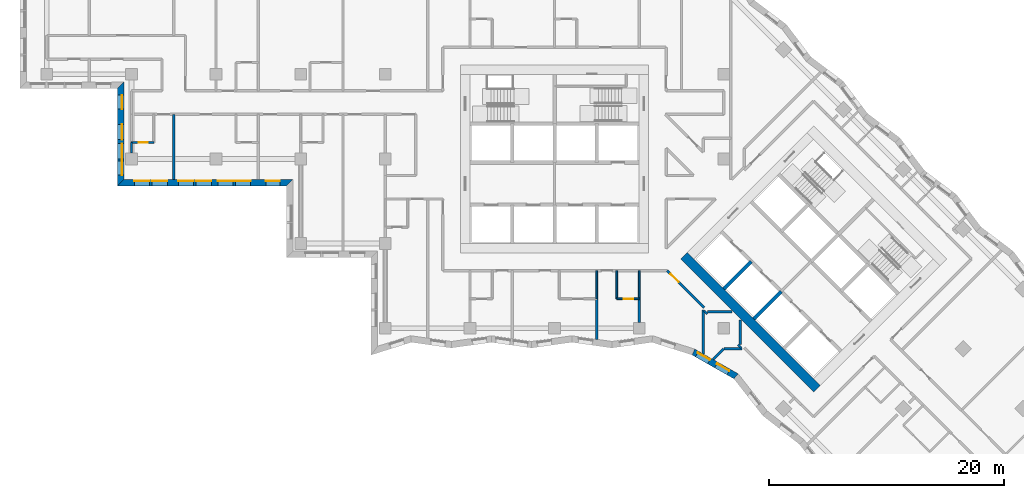
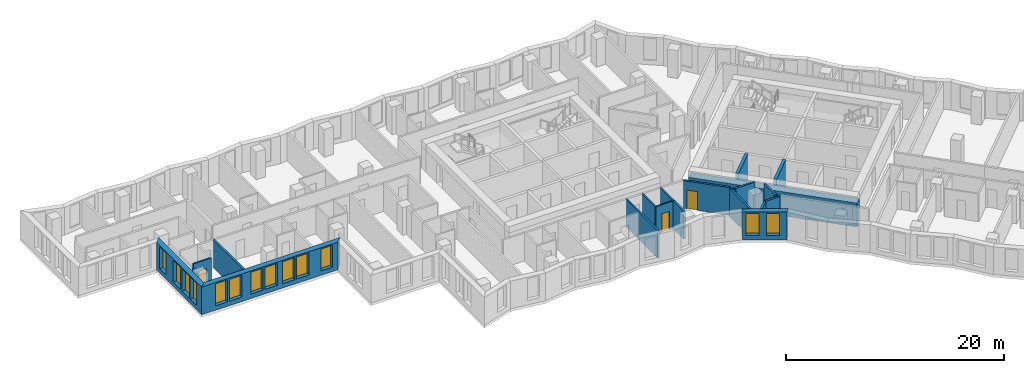
# One storey, part 3 of 13: 23 walls, 13 windows, 3 doors, 16 openings.
"""IFC4 building model written with IfcOpenShell, lengths in metres."""

from ifc_helpers import new_model, si_unit, direction, frame, frame_2d, origin, place, context, subcontext, project, spatial, polyline, rectangle, outline, extrude, material, layer, layer_set, type_object, element, fill, save


model = new_model("IFC4")

# Units and contexts
model_context = context("Model", 3, precision=1e-05, world=origin(), true_north=direction((0.0, 1.0)))
body_context = subcontext(model_context, "Body", "Model", "MODEL_VIEW")
ifc_project = project(units=[si_unit("LENGTHUNIT", "METRE"), si_unit("AREAUNIT", "SQUARE_METRE"), si_unit("VOLUMEUNIT", "CUBIC_METRE"), si_unit("PLANEANGLEUNIT", "RADIAN"), si_unit("MASSUNIT", "GRAM", prefix="KILO")], contexts=[model_context])

# Site, building, storey
site_placement = place(None, origin())
site = spatial("IfcSite", under=ifc_project, at=site_placement, CompositionType="ELEMENT")
building_placement = place(site_placement, origin())
building = spatial("IfcBuilding", under=site, at=building_placement, Name="Windrow Commons", CompositionType="ELEMENT")
storey_placement = place(building_placement, frame((0.0, 0.0, 101.6)))
storey = spatial("IfcBuildingStorey", under=building, at=storey_placement, Name="L27", CompositionType="ELEMENT", Elevation=101.6)

# Wall, openings, windows
ifc_material_1 = material(Name="Brick masonry, red clay brick", Category="masonry")
ifc_layer_1 = layer(ifc_material_1, 0.55)
ifc_layer_set_1 = layer_set([ifc_layer_1], Name="Brick facade wall 550")
wall_type_1 = type_object("IfcWallType", Name="Brick facade wall 550", PredefinedType="SOLIDWALL", material=ifc_layer_set_1)
wall_1_placement = place(storey_placement, frame((27.875, 63.875, 0.0), z_axis=(0.0, 0.0, 1.0), x_axis=(0.0, -1.0, 0.0)))
wall_1 = element("IfcWall", 1, at=wall_1_placement, inside=storey, type_object=wall_type_1, Name="Brick facade wall L27 39", PredefinedType="SOLIDWALL", context=body_context, shape_type="SweptSolid", body=[
    extrude(outline(polyline([(0.275, -0.275), (8.557, -0.275), (8.007, 0.275), (-0.275, 0.275), (0.275, -0.275)])), origin(), (0.0, 0.0, 1.0), 3.1),
])
opening_1_placement = place(wall_1_placement, frame((3.325, 0.0, 0.5)))
opening_1 = element("IfcOpeningElement", 2, at=opening_1_placement, cuts=wall_1, Name="Opening W1P", PredefinedType="OPENING", context=body_context, shape_type="SweptSolid", body=[
    extrude(rectangle(XDim=1.3, YDim=2.45, at=frame_2d((0.65, 1.225))), frame((0.0, 0.285, 0.0), z_axis=(0.0, -1.0, 0.0), x_axis=(1.0, 0.0, 0.0)), (0.0, 0.0, 1.0), 0.57),
])
opening_2_placement = place(wall_1_placement, frame((4.975, 0.0, 0.5)))
opening_2 = element("IfcOpeningElement", 3, at=opening_2_placement, cuts=wall_1, Name="Opening W1P", PredefinedType="OPENING", context=body_context, shape_type="SweptSolid", body=[
    extrude(rectangle(XDim=1.3, YDim=2.45, at=frame_2d((0.65, 1.225))), frame((0.0, 0.285, 0.0), z_axis=(0.0, -1.0, 0.0), x_axis=(1.0, 0.0, 0.0)), (0.0, 0.0, 1.0), 0.57),
])
opening_3_placement = place(wall_1_placement, frame((0.8375, 0.0, 0.5)))
opening_3 = element("IfcOpeningElement", 4, at=opening_3_placement, cuts=wall_1, Name="Opening W7D", PredefinedType="OPENING", context=body_context, shape_type="SweptSolid", body=[
    extrude(rectangle(XDim=1.2, YDim=2.45, at=frame_2d((0.6, 1.225))), frame((0.0, 0.285, 0.0), z_axis=(0.0, -1.0, 0.0), x_axis=(1.0, 0.0, 0.0)), (0.0, 0.0, 1.0), 0.57),
])
opening_4_placement = place(wall_1_placement, frame((6.441, 0.0, 0.5)))
opening_4 = element("IfcOpeningElement", 5, at=opening_4_placement, cuts=wall_1, Name="Opening W7D", PredefinedType="OPENING", context=body_context, shape_type="SweptSolid", body=[
    extrude(rectangle(XDim=1.2, YDim=2.45, at=frame_2d((0.6, 1.225))), frame((0.0, 0.285, 0.0), z_axis=(0.0, -1.0, 0.0), x_axis=(1.0, 0.0, 0.0)), (0.0, 0.0, 1.0), 0.57),
])
ifc_material_2 = material(Name="Clear float glass in anodised aluminium frame", Category="aluminium")
window_type_1 = type_object("IfcWindowType", Name="Window W1P pair 1300x2450", PartitioningType="SINGLE_PANEL", PredefinedType="WINDOW", material=ifc_material_2)
window_1_placement = place(opening_1_placement, origin())
window_1 = element("IfcWindow", 6, at=window_1_placement, inside=storey, type_object=window_type_1, Name="Window L27 39.1A", OverallHeight=2.45, OverallWidth=1.3, PartitioningType="SINGLE_PANEL", PredefinedType="WINDOW", context=body_context, shape_type="SweptSolid", body=[
    extrude(rectangle(XDim=1.3, YDim=2.45, at=frame_2d((0.65, 1.225))), frame((0.0, 0.155, 0.0), z_axis=(0.0, -1.0, 0.0), x_axis=(1.0, 0.0, 0.0)), (0.0, 0.0, 1.0), 0.06),
])
fill(opening_1, window_1)
window_2_placement = place(opening_2_placement, origin())
window_2 = element("IfcWindow", 7, at=window_2_placement, inside=storey, type_object=window_type_1, Name="Window L27 39.1B", OverallHeight=2.45, OverallWidth=1.3, PartitioningType="SINGLE_PANEL", PredefinedType="WINDOW", context=body_context, shape_type="SweptSolid", body=[
    extrude(rectangle(XDim=1.3, YDim=2.45, at=frame_2d((0.65, 1.225))), frame((0.0, 0.155, 0.0), z_axis=(0.0, -1.0, 0.0), x_axis=(1.0, 0.0, 0.0)), (0.0, 0.0, 1.0), 0.06),
])
fill(opening_2, window_2)
ifc_material_3 = material(Name="Clear float glass in anodised aluminium frame", Category="aluminium")
window_type_2 = type_object("IfcWindowType", Name="Window W7 notch 1200x2450", PartitioningType="SINGLE_PANEL", PredefinedType="WINDOW", material=ifc_material_3)
window_3_placement = place(opening_3_placement, origin())
window_3 = element("IfcWindow", 8, at=window_3_placement, inside=storey, type_object=window_type_2, Name="Window L27 39.2", OverallHeight=2.45, OverallWidth=1.2, PartitioningType="SINGLE_PANEL", PredefinedType="WINDOW", context=body_context, shape_type="SweptSolid", body=[
    extrude(rectangle(XDim=1.2, YDim=2.45, at=frame_2d((0.6, 1.225))), frame((0.0, 0.155, 0.0), z_axis=(0.0, -1.0, 0.0), x_axis=(1.0, 0.0, 0.0)), (0.0, 0.0, 1.0), 0.06),
])
fill(opening_3, window_3)
window_4_placement = place(opening_4_placement, origin())
window_4 = element("IfcWindow", 9, at=window_4_placement, inside=storey, type_object=window_type_2, Name="Window L27 39.3", OverallHeight=2.45, OverallWidth=1.2, PartitioningType="SINGLE_PANEL", PredefinedType="WINDOW", context=body_context, shape_type="SweptSolid", body=[
    extrude(rectangle(XDim=1.2, YDim=2.45, at=frame_2d((0.6, 1.225))), frame((0.0, 0.155, 0.0), z_axis=(0.0, -1.0, 0.0), x_axis=(1.0, 0.0, 0.0)), (0.0, 0.0, 1.0), 0.06),
])
fill(opening_4, window_4)

wall_2_placement = place(storey_placement, frame((27.875, 55.593, 0.0), z_axis=(0.0, 0.0, 1.0), x_axis=(1.0, 0.0, 0.0)))
wall_2 = element("IfcWall", 10, at=wall_2_placement, inside=storey, type_object=wall_type_1, Name="Brick facade wall L27 40", PredefinedType="SOLIDWALL", context=body_context, shape_type="SweptSolid", body=[
    extrude(outline(polyline([(-0.275, -0.275), (14.125, -0.275), (14.675, 0.275), (0.275, 0.275), (-0.275, -0.275)])), origin(), (0.0, 0.0, 1.0), 3.1),
])
opening_5_placement = place(wall_2_placement, frame((1.175, 0.0, 0.5)))
opening_5 = element("IfcOpeningElement", 11, at=opening_5_placement, cuts=wall_2, Name="Opening W1P", PredefinedType="OPENING", context=body_context, shape_type="SweptSolid", body=[
    extrude(rectangle(XDim=1.3, YDim=2.45, at=frame_2d((0.65, 1.225))), frame((0.0, 0.285, 0.0), z_axis=(0.0, -1.0, 0.0), x_axis=(1.0, 0.0, 0.0)), (0.0, 0.0, 1.0), 0.57),
])
opening_6_placement = place(wall_2_placement, frame((2.675, 0.0, 0.5)))
opening_6 = element("IfcOpeningElement", 12, at=opening_6_placement, cuts=wall_2, Name="Opening W1P", PredefinedType="OPENING", context=body_context, shape_type="SweptSolid", body=[
    extrude(rectangle(XDim=1.3, YDim=2.45, at=frame_2d((0.65, 1.225))), frame((0.0, 0.285, 0.0), z_axis=(0.0, -1.0, 0.0), x_axis=(1.0, 0.0, 0.0)), (0.0, 0.0, 1.0), 0.57),
])
opening_7_placement = place(wall_2_placement, frame((4.925, 0.0, 0.5)))
opening_7 = element("IfcOpeningElement", 13, at=opening_7_placement, cuts=wall_2, Name="Opening W1P", PredefinedType="OPENING", context=body_context, shape_type="SweptSolid", body=[
    extrude(rectangle(XDim=1.3, YDim=2.45, at=frame_2d((0.65, 1.225))), frame((0.0, 0.285, 0.0), z_axis=(0.0, -1.0, 0.0), x_axis=(1.0, 0.0, 0.0)), (0.0, 0.0, 1.0), 0.57),
])
opening_8_placement = place(wall_2_placement, frame((6.425, 0.0, 0.5)))
opening_8 = element("IfcOpeningElement", 14, at=opening_8_placement, cuts=wall_2, Name="Opening W1P", PredefinedType="OPENING", context=body_context, shape_type="SweptSolid", body=[
    extrude(rectangle(XDim=1.3, YDim=2.45, at=frame_2d((0.65, 1.225))), frame((0.0, 0.285, 0.0), z_axis=(0.0, -1.0, 0.0), x_axis=(1.0, 0.0, 0.0)), (0.0, 0.0, 1.0), 0.57),
])
opening_9_placement = place(wall_2_placement, frame((8.275, 0.0, 0.5)))
opening_9 = element("IfcOpeningElement", 15, at=opening_9_placement, cuts=wall_2, Name="Opening W1P", PredefinedType="OPENING", context=body_context, shape_type="SweptSolid", body=[
    extrude(rectangle(XDim=1.3, YDim=2.45, at=frame_2d((0.65, 1.225))), frame((0.0, 0.285, 0.0), z_axis=(0.0, -1.0, 0.0), x_axis=(1.0, 0.0, 0.0)), (0.0, 0.0, 1.0), 0.57),
])
opening_10_placement = place(wall_2_placement, frame((9.775, 0.0, 0.5)))
opening_10 = element("IfcOpeningElement", 16, at=opening_10_placement, cuts=wall_2, Name="Opening W1P", PredefinedType="OPENING", context=body_context, shape_type="SweptSolid", body=[
    extrude(rectangle(XDim=1.3, YDim=2.45, at=frame_2d((0.65, 1.225))), frame((0.0, 0.285, 0.0), z_axis=(0.0, -1.0, 0.0), x_axis=(1.0, 0.0, 0.0)), (0.0, 0.0, 1.0), 0.57),
])
opening_11_placement = place(wall_2_placement, frame((12.3625, 0.0, 0.5)))
opening_11 = element("IfcOpeningElement", 17, at=opening_11_placement, cuts=wall_2, Name="Opening W7D", PredefinedType="OPENING", context=body_context, shape_type="SweptSolid", body=[
    extrude(rectangle(XDim=1.2, YDim=2.45, at=frame_2d((0.6, 1.225))), frame((0.0, 0.285, 0.0), z_axis=(0.0, -1.0, 0.0), x_axis=(1.0, 0.0, 0.0)), (0.0, 0.0, 1.0), 0.57),
])
window_5_placement = place(opening_5_placement, origin())
window_5 = element("IfcWindow", 18, at=window_5_placement, inside=storey, type_object=window_type_1, Name="Window L27 40.1A", OverallHeight=2.45, OverallWidth=1.3, PartitioningType="SINGLE_PANEL", PredefinedType="WINDOW", context=body_context, shape_type="SweptSolid", body=[
    extrude(rectangle(XDim=1.3, YDim=2.45, at=frame_2d((0.65, 1.225))), frame((0.0, 0.155, 0.0), z_axis=(0.0, -1.0, 0.0), x_axis=(1.0, 0.0, 0.0)), (0.0, 0.0, 1.0), 0.06),
])
fill(opening_5, window_5)
window_6_placement = place(opening_6_placement, origin())
window_6 = element("IfcWindow", 19, at=window_6_placement, inside=storey, type_object=window_type_1, Name="Window L27 40.1B", OverallHeight=2.45, OverallWidth=1.3, PartitioningType="SINGLE_PANEL", PredefinedType="WINDOW", context=body_context, shape_type="SweptSolid", body=[
    extrude(rectangle(XDim=1.3, YDim=2.45, at=frame_2d((0.65, 1.225))), frame((0.0, 0.155, 0.0), z_axis=(0.0, -1.0, 0.0), x_axis=(1.0, 0.0, 0.0)), (0.0, 0.0, 1.0), 0.06),
])
fill(opening_6, window_6)
window_7_placement = place(opening_7_placement, origin())
window_7 = element("IfcWindow", 20, at=window_7_placement, inside=storey, type_object=window_type_1, Name="Window L27 40.2A", OverallHeight=2.45, OverallWidth=1.3, PartitioningType="SINGLE_PANEL", PredefinedType="WINDOW", context=body_context, shape_type="SweptSolid", body=[
    extrude(rectangle(XDim=1.3, YDim=2.45, at=frame_2d((0.65, 1.225))), frame((0.0, 0.155, 0.0), z_axis=(0.0, -1.0, 0.0), x_axis=(1.0, 0.0, 0.0)), (0.0, 0.0, 1.0), 0.06),
])
fill(opening_7, window_7)
window_8_placement = place(opening_8_placement, origin())
window_8 = element("IfcWindow", 21, at=window_8_placement, inside=storey, type_object=window_type_1, Name="Window L27 40.2B", OverallHeight=2.45, OverallWidth=1.3, PartitioningType="SINGLE_PANEL", PredefinedType="WINDOW", context=body_context, shape_type="SweptSolid", body=[
    extrude(rectangle(XDim=1.3, YDim=2.45, at=frame_2d((0.65, 1.225))), frame((0.0, 0.155, 0.0), z_axis=(0.0, -1.0, 0.0), x_axis=(1.0, 0.0, 0.0)), (0.0, 0.0, 1.0), 0.06),
])
fill(opening_8, window_8)
window_9_placement = place(opening_9_placement, origin())
window_9 = element("IfcWindow", 22, at=window_9_placement, inside=storey, type_object=window_type_1, Name="Window L27 40.3A", OverallHeight=2.45, OverallWidth=1.3, PartitioningType="SINGLE_PANEL", PredefinedType="WINDOW", context=body_context, shape_type="SweptSolid", body=[
    extrude(rectangle(XDim=1.3, YDim=2.45, at=frame_2d((0.65, 1.225))), frame((0.0, 0.155, 0.0), z_axis=(0.0, -1.0, 0.0), x_axis=(1.0, 0.0, 0.0)), (0.0, 0.0, 1.0), 0.06),
])
fill(opening_9, window_9)
window_10_placement = place(opening_10_placement, origin())
window_10 = element("IfcWindow", 23, at=window_10_placement, inside=storey, type_object=window_type_1, Name="Window L27 40.3B", OverallHeight=2.45, OverallWidth=1.3, PartitioningType="SINGLE_PANEL", PredefinedType="WINDOW", context=body_context, shape_type="SweptSolid", body=[
    extrude(rectangle(XDim=1.3, YDim=2.45, at=frame_2d((0.65, 1.225))), frame((0.0, 0.155, 0.0), z_axis=(0.0, -1.0, 0.0), x_axis=(1.0, 0.0, 0.0)), (0.0, 0.0, 1.0), 0.06),
])
fill(opening_10, window_10)
window_11_placement = place(opening_11_placement, origin())
window_11 = element("IfcWindow", 24, at=window_11_placement, inside=storey, type_object=window_type_2, Name="Window L27 40.4", OverallHeight=2.45, OverallWidth=1.2, PartitioningType="SINGLE_PANEL", PredefinedType="WINDOW", context=body_context, shape_type="SweptSolid", body=[
    extrude(rectangle(XDim=1.2, YDim=2.45, at=frame_2d((0.6, 1.225))), frame((0.0, 0.155, 0.0), z_axis=(0.0, -1.0, 0.0), x_axis=(1.0, 0.0, 0.0)), (0.0, 0.0, 1.0), 0.06),
])
fill(opening_11, window_11)

wall_3_placement = place(storey_placement, frame((76.6185, 41.1714, 0.0), z_axis=(0.0, 0.0, 1.0), x_axis=(0.8690948676, -0.4946454398, 0.0)))
wall_3 = element("IfcWall", 25, at=wall_3_placement, inside=storey, type_object=wall_type_1, Name="Brick facade wall L27 52", PredefinedType="SOLIDWALL", context=body_context, shape_type="SweptSolid", body=[
    extrude(outline(polyline([(0.029, -0.275), (4.1156, -0.275), (4.2241, 0.275), (-0.029, 0.275), (0.029, -0.275)])), origin(), (0.0, 0.0, 1.0), 3.1),
])
opening_12_placement = place(wall_3_placement, frame((0.3432, 0.0, 0.5)))
opening_12 = element("IfcOpeningElement", 26, at=opening_12_placement, cuts=wall_3, Name="Opening W7D", PredefinedType="OPENING", context=body_context, shape_type="SweptSolid", body=[
    extrude(rectangle(XDim=1.2, YDim=2.45, at=frame_2d((0.6, 1.225))), frame((0.0, 0.285, 0.0), z_axis=(0.0, -1.0, 0.0), x_axis=(1.0, 0.0, 0.0)), (0.0, 0.0, 1.0), 0.57),
])
opening_13_placement = place(wall_3_placement, frame((2.2281, 0.0, 0.5)))
opening_13 = element("IfcOpeningElement", 27, at=opening_13_placement, cuts=wall_3, Name="Opening W7D", PredefinedType="OPENING", context=body_context, shape_type="SweptSolid", body=[
    extrude(rectangle(XDim=1.2, YDim=2.45, at=frame_2d((0.6, 1.225))), frame((0.0, 0.285, 0.0), z_axis=(0.0, -1.0, 0.0), x_axis=(1.0, 0.0, 0.0)), (0.0, 0.0, 1.0), 0.57),
])
window_12_placement = place(opening_12_placement, origin())
window_12 = element("IfcWindow", 28, at=window_12_placement, inside=storey, type_object=window_type_2, Name="Window L27 52.1", OverallHeight=2.45, OverallWidth=1.2, PartitioningType="SINGLE_PANEL", PredefinedType="WINDOW", context=body_context, shape_type="SweptSolid", body=[
    extrude(rectangle(XDim=1.2, YDim=2.45, at=frame_2d((0.6, 1.225))), frame((0.0, 0.155, 0.0), z_axis=(0.0, -1.0, 0.0), x_axis=(1.0, 0.0, 0.0)), (0.0, 0.0, 1.0), 0.06),
])
fill(opening_12, window_12)
window_13_placement = place(opening_13_placement, origin())
window_13 = element("IfcWindow", 29, at=window_13_placement, inside=storey, type_object=window_type_2, Name="Window L27 52.2", OverallHeight=2.45, OverallWidth=1.2, PartitioningType="SINGLE_PANEL", PredefinedType="WINDOW", context=body_context, shape_type="SweptSolid", body=[
    extrude(rectangle(XDim=1.2, YDim=2.45, at=frame_2d((0.6, 1.225))), frame((0.0, 0.155, 0.0), z_axis=(0.0, -1.0, 0.0), x_axis=(1.0, 0.0, 0.0)), (0.0, 0.0, 1.0), 0.06),
])
fill(opening_13, window_13)

# Wall, opening, door
ifc_material_4 = material(Name="Blockwork partition", Category="masonry")
ifc_layer_2 = layer(ifc_material_4, 0.2)
ifc_layer_set_2 = layer_set([ifc_layer_2], Name="IW-CORRIDOR-200")
wall_type_2 = type_object("IfcWallType", Name="IW-CORRIDOR-200", PredefinedType="PARTITIONING", material=ifc_layer_set_2)
wall_4_placement = place(storey_placement, frame((74.3885, 48.0965, 0.0), z_axis=(0.0, 0.0, 1.0), x_axis=(0.7071067812, -0.7071067812, 0.0)))
wall_4 = element("IfcWall", 30, at=wall_4_placement, inside=storey, type_object=wall_type_2, Name="W-L27-W045", PredefinedType="PARTITIONING", context=body_context, shape_type="SweptSolid", body=[
    extrude(rectangle(XDim=4.4519, YDim=0.2, at=frame_2d((2.226, 0.0))), origin(), (0.0, 0.0, 1.0), 3.1),
])
opening_14_placement = place(wall_4_placement, frame((0.3818, 0.0, 0.0)))
opening_14 = element("IfcOpeningElement", 31, at=opening_14_placement, cuts=wall_4, Name="Opening D310F", PredefinedType="OPENING", context=body_context, shape_type="SweptSolid", body=[
    extrude(rectangle(XDim=1.0, YDim=2.1, at=frame_2d((0.5, 1.05))), frame((0.0, 0.11, 0.0), z_axis=(0.0, -1.0, 0.0), x_axis=(1.0, 0.0, 0.0)), (0.0, 0.0, 1.0), 0.22),
])
ifc_material_5 = material(Name="Timber door leaf", Category="wood")
door_type_1 = type_object("IfcDoorType", Name="DT-AMENITY-1000", OperationType="SINGLE_SWING_LEFT", PredefinedType="DOOR", material=ifc_material_5)
door_1_placement = place(opening_14_placement, origin())
door_1 = element("IfcDoor", 32, at=door_1_placement, inside=storey, type_object=door_type_1, Name="D-L27-D034", OperationType="SINGLE_SWING_LEFT", OverallHeight=2.1, OverallWidth=1.0, PredefinedType="DOOR", context=body_context, shape_type="SweptSolid", body=[
    extrude(rectangle(XDim=1.0, YDim=2.1, at=frame_2d((0.5, 1.05))), frame((0.0, 0.025, 0.0), z_axis=(0.0, -1.0, 0.0), x_axis=(1.0, 0.0, 0.0)), (0.0, 0.0, 1.0), 0.05),
])
fill(opening_14, door_1)

# Walls
for number, where, z_axis, x_axis, name in (
    (33, (77.802, 44.6, 0.0), (0.0, 0.0, 1.0), (1.0, 0.0, 0.0), "W-L27-W101"),
    (34, (80.6, 41.802, 0.0), (0.0, 0.0, 1.0), (0.0, 1.0, 0.0), "W-L27-W102"),
):
    element("IfcWall", number, at=place(storey_placement, frame(where, z_axis=z_axis, x_axis=x_axis)), inside=storey, type_object=wall_type_2, Name=name, PredefinedType="PARTITIONING", context=body_context, shape_type="SweptSolid", body=[
        extrude(rectangle(XDim=2.098, YDim=0.2, at=frame_2d((1.049, 0.0))), origin(), (0.0, 0.0, 1.0), 3.1),
    ])
for number, where, z_axis, x_axis, name in (
    (35, (77.5461, 44.6561, 0.0), (0.0, 0.0, 1.0), (0.7071067812, -0.7071067812, 0.0), "W-L27-W155"),
    (36, (80.4051, 41.7971, 0.0), (0.0, 0.0, 1.0), (0.7071067812, -0.7071067812, 0.0), "W-L27-W156"),
):
    element("IfcWall", number, at=place(storey_placement, frame(where, z_axis=z_axis, x_axis=x_axis)), inside=storey, type_object=wall_type_2, Name=name, PredefinedType="PARTITIONING", context=body_context, shape_type="SweptSolid", body=[
        extrude(rectangle(XDim=0.355, YDim=0.2, at=frame_2d((0.1775, 0.0))), origin(), (0.0, 0.0, 1.0), 3.1),
    ])
ifc_material_6 = material(Name="Blockwork partition", Category="masonry")
ifc_layer_3 = layer(ifc_material_6, 0.15)
ifc_layer_set_3 = layer_set([ifc_layer_3], Name="IW-ENSUITE-150")
wall_type_3 = type_object("IfcWallType", Name="IW-ENSUITE-150", PredefinedType="PARTITIONING", material=ifc_layer_set_3)
for number, where, z_axis, x_axis, name in (
    (37, (68.4, 45.7, 0.0), (0.0, 0.0, 1.0), (0.0, 1.0, 0.0), "W-L27-W089"),
    (38, (70.1, 45.7, 0.0), (0.0, 0.0, 1.0), (0.0, 1.0, 0.0), "W-L27-W090"),
    (39, (72.0, 45.7, 0.0), (0.0, 0.0, 1.0), (0.0, 1.0, 0.0), "W-L27-W091"),
):
    element("IfcWall", number, at=place(storey_placement, frame(where, z_axis=z_axis, x_axis=x_axis)), inside=storey, type_object=wall_type_3, Name=name, PredefinedType="PARTITIONING", context=body_context, shape_type="SweptSolid", body=[
        extrude(rectangle(XDim=2.4, YDim=0.15, at=frame_2d((1.2, 0.0))), origin(), (0.0, 0.0, 1.0), 3.1),
    ])

# Wall, opening, door
wall_5_placement = place(storey_placement, frame((70.1, 45.7, 0.0), z_axis=(0.0, 0.0, 1.0), x_axis=(1.0, 0.0, 0.0)))
wall_5 = element("IfcWall", 40, at=wall_5_placement, inside=storey, type_object=wall_type_3, Name="W-L27-W119", PredefinedType="PARTITIONING", context=body_context, shape_type="SweptSolid", body=[
    extrude(rectangle(XDim=1.9, YDim=0.15, at=frame_2d((0.95, 0.0))), origin(), (0.0, 0.0, 1.0), 3.1),
])
opening_15_placement = place(wall_5_placement, frame((0.5979, 0.0, 0.0)))
opening_15 = element("IfcOpeningElement", 41, at=opening_15_placement, cuts=wall_5, Name="Opening D208N", PredefinedType="OPENING", context=body_context, shape_type="SweptSolid", body=[
    extrude(rectangle(XDim=0.8, YDim=2.1, at=frame_2d((0.4, 1.05))), frame((0.0, 0.085, 0.0), z_axis=(0.0, -1.0, 0.0), x_axis=(1.0, 0.0, 0.0)), (0.0, 0.0, 1.0), 0.17),
])
ifc_material_7 = material(Name="Timber door leaf", Category="wood")
door_type_2 = type_object("IfcDoorType", Name="DT-ENSUITE-800", OperationType="SINGLE_SWING_LEFT", PredefinedType="DOOR", material=ifc_material_7)
door_2_placement = place(opening_15_placement, origin())
door_2 = element("IfcDoor", 42, at=door_2_placement, inside=storey, type_object=door_type_2, Name="D-L27-D033", OperationType="SINGLE_SWING_RIGHT", OverallHeight=2.1, OverallWidth=0.8, PredefinedType="DOOR", context=body_context, shape_type="SweptSolid", body=[
    extrude(rectangle(XDim=0.8, YDim=2.1, at=frame_2d((0.4, 1.05))), frame((0.0, 0.025, 0.0), z_axis=(0.0, -1.0, 0.0), x_axis=(1.0, 0.0, 0.0)), (0.0, 0.0, 1.0), 0.05),
])
fill(opening_15, door_2)

wall_6_placement = place(storey_placement, frame((28.8, 59.0, 0.0), z_axis=(0.0, 0.0, 1.0), x_axis=(1.0, 0.0, 0.0)))
wall_6 = element("IfcWall", 43, at=wall_6_placement, inside=storey, type_object=wall_type_3, Name="W-L27-W121", PredefinedType="PARTITIONING", context=body_context, shape_type="SweptSolid", body=[
    extrude(rectangle(XDim=1.9, YDim=0.15, at=frame_2d((0.95, 0.0))), origin(), (0.0, 0.0, 1.0), 3.1),
])
opening_16_placement = place(wall_6_placement, frame((0.6069, 0.0, 0.0)))
opening_16 = element("IfcOpeningElement", 44, at=opening_16_placement, cuts=wall_6, Name="Opening D208N", PredefinedType="OPENING", context=body_context, shape_type="SweptSolid", body=[
    extrude(rectangle(XDim=0.8, YDim=2.1, at=frame_2d((0.4, 1.05))), frame((0.0, 0.085, 0.0), z_axis=(0.0, -1.0, 0.0), x_axis=(1.0, 0.0, 0.0)), (0.0, 0.0, 1.0), 0.17),
])
door_3_placement = place(opening_16_placement, origin())
door_3 = element("IfcDoor", 45, at=door_3_placement, inside=storey, type_object=door_type_2, Name="D-L27-D005", OperationType="SINGLE_SWING_RIGHT", OverallHeight=2.1, OverallWidth=0.8, PredefinedType="DOOR", context=body_context, shape_type="SweptSolid", body=[
    extrude(rectangle(XDim=0.8, YDim=2.1, at=frame_2d((0.4, 1.05))), frame((0.0, 0.025, 0.0), z_axis=(0.0, -1.0, 0.0), x_axis=(1.0, 0.0, 0.0)), (0.0, 0.0, 1.0), 0.05),
])
fill(opening_16, door_3)

# Walls
ifc_material_8 = material(Name="Blockwork partition", Category="masonry")
ifc_layer_4 = layer(ifc_material_8, 0.2)
ifc_layer_set_4 = layer_set([ifc_layer_4], Name="IW-PARTY-200")
wall_type_4 = type_object("IfcWallType", Name="IW-PARTY-200", PredefinedType="PARTITIONING", material=ifc_layer_set_4)
wall_7_placement = place(storey_placement, frame((32.4, 55.868, 0.0), z_axis=(0.0, 0.0, 1.0), x_axis=(0.0, 1.0, 0.0)))
element("IfcWall", 46, at=wall_7_placement, inside=storey, type_object=wall_type_4, Name="W-L27-W034", PredefinedType="PARTITIONING", context=body_context, shape_type="SweptSolid", body=[
    extrude(rectangle(XDim=5.532, YDim=0.2, at=frame_2d((2.766, 0.0))), origin(), (0.0, 0.0, 1.0), 3.1),
])
wall_8_placement = place(storey_placement, frame((77.45, 41.0145, 0.0), z_axis=(0.0, 0.0, 1.0), x_axis=(0.0, 1.0, 0.0)))
element("IfcWall", 47, at=wall_8_placement, inside=storey, type_object=wall_type_4, Name="W-L27-W052", PredefinedType="PARTITIONING", context=body_context, shape_type="SweptSolid", body=[
    extrude(rectangle(XDim=3.7435, YDim=0.2, at=frame_2d((1.8718, 0.0))), origin(), (0.0, 0.0, 1.0), 3.1),
])
wall_9_placement = place(storey_placement, frame((68.4, 42.2543, 0.0), z_axis=(0.0, 0.0, 1.0), x_axis=(0.0, 1.0, 0.0)))
element("IfcWall", 48, at=wall_9_placement, inside=storey, type_object=wall_type_4, Name="W-L27-W054", PredefinedType="PARTITIONING", context=body_context, shape_type="SweptSolid", body=[
    extrude(rectangle(XDim=3.4457, YDim=0.2, at=frame_2d((1.7228, 0.0))), origin(), (0.0, 0.0, 1.0), 3.1),
])
wall_10_placement = place(storey_placement, frame((72.0, 43.7, 0.0), z_axis=(0.0, 0.0, 1.0), x_axis=(0.0, 1.0, 0.0)))
element("IfcWall", 49, at=wall_10_placement, inside=storey, type_object=wall_type_4, Name="W-L27-W109", PredefinedType="PARTITIONING", context=body_context, shape_type="SweptSolid", body=[
    extrude(rectangle(XDim=2.0, YDim=0.2, at=frame_2d((1.0, 0.0))), origin(), (0.0, 0.0, 1.0), 3.1),
])
wall_11_placement = place(storey_placement, frame((79.198, 41.45, 0.0), z_axis=(0.0, 0.0, 1.0), x_axis=(1.0, 0.0, 0.0)))
element("IfcWall", 50, at=wall_11_placement, inside=storey, type_object=wall_type_4, Name="W-L27-W129", PredefinedType="PARTITIONING", context=body_context, shape_type="SweptSolid", body=[
    extrude(rectangle(XDim=1.56, YDim=0.2, at=frame_2d((0.78, 0.0))), origin(), (0.0, 0.0, 1.0), 3.1),
])
wall_12_placement = place(storey_placement, frame((78.2848, 40.5394, 0.0), z_axis=(0.0, 0.0, 1.0), x_axis=(0.7071067812, 0.7071067812, 0.0)))
element("IfcWall", 51, at=wall_12_placement, inside=storey, type_object=wall_type_4, Name="W-L27-W135", PredefinedType="PARTITIONING", context=body_context, shape_type="SweptSolid", body=[
    extrude(rectangle(XDim=1.2882, YDim=0.2, at=frame_2d((0.6441, 0.0))), origin(), (0.0, 0.0, 1.0), 3.1),
])
wall_13_placement = place(storey_placement, frame((28.8, 58.1, 0.0), z_axis=(0.0, 0.0, 1.0), x_axis=(0.0, 1.0, 0.0)))
element("IfcWall", 52, at=wall_13_placement, inside=storey, type_object=wall_type_4, Name="W-L27-W138", PredefinedType="PARTITIONING", context=body_context, shape_type="SweptSolid", body=[
    extrude(rectangle(XDim=0.9, YDim=0.2, at=frame_2d((0.45, 0.0))), origin(), (0.0, 0.0, 1.0), 2.6),
])
ifc_material_9 = material(Name="Concrete C50/60", Category="concrete")
ifc_layer_5 = layer(ifc_material_9, 0.8)
ifc_layer_set_5 = layer_set([ifc_layer_5], Name="RC CORE WALL 800 C50/60")
wall_type_5 = type_object("IfcWallType", Name="RC CORE WALL 800 C50/60", PredefinedType="SHEAR", material=ifc_layer_set_5)
wall_14_placement = place(storey_placement, frame((75.8059, 49.3726, -0.3), z_axis=(0.0, 0.0, 1.0), x_axis=(0.7071067812, -0.7071067812, 0.0)))
element("IfcWall", 53, at=wall_14_placement, inside=storey, type_object=wall_type_5, Name="Core B wall outer-S", PredefinedType="SHEAR", context=body_context, shape_type="SweptSolid", body=[
    extrude(rectangle(XDim=16.0, YDim=0.8, at=frame_2d((8.0, 0.0))), origin(), (0.0, 0.0, 1.0), 2.7),
])
ifc_material_10 = material(Name="Concrete C50/60", Category="concrete")
ifc_layer_6 = layer(ifc_material_10, 0.3)
ifc_layer_set_6 = layer_set([ifc_layer_6], Name="RC SHAFT WALL 300 C50/60")
wall_type_6 = type_object("IfcWallType", Name="RC SHAFT WALL 300 C50/60", PredefinedType="SOLIDWALL", material=ifc_layer_set_6)
wall_15_placement = place(storey_placement, frame((79.2, 46.5442, 0.0), z_axis=(0.0, 0.0, 1.0), x_axis=(0.7071219326, 0.7070916295, 0.0)))
element("IfcWall", 54, at=wall_15_placement, inside=storey, type_object=wall_type_6, Name="Core B wall shaft-S1", PredefinedType="SOLIDWALL", context=body_context, shape_type="SweptSolid", body=[
    extrude(rectangle(XDim=3.3, YDim=0.3, at=frame_2d((1.65, 0.0))), origin(), (0.0, 0.0, 1.0), 3.1),
])
wall_16_placement = place(storey_placement, frame((81.7456, 43.9986, 0.0), z_axis=(0.0, 0.0, 1.0), x_axis=(0.7071067812, 0.7071067812, 0.0)))
element("IfcWall", 55, at=wall_16_placement, inside=storey, type_object=wall_type_6, Name="Core B wall shaft-S2", PredefinedType="SOLIDWALL", context=body_context, shape_type="SweptSolid", body=[
    extrude(rectangle(XDim=3.2999, YDim=0.3, at=frame_2d((1.65, 0.0))), origin(), (0.0, 0.0, 1.0), 3.1),
])

save(model, "model.ifc")
